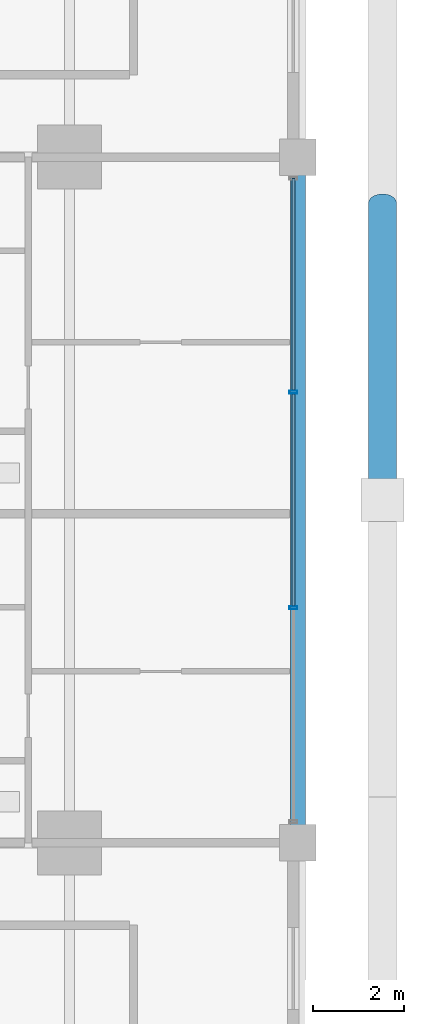
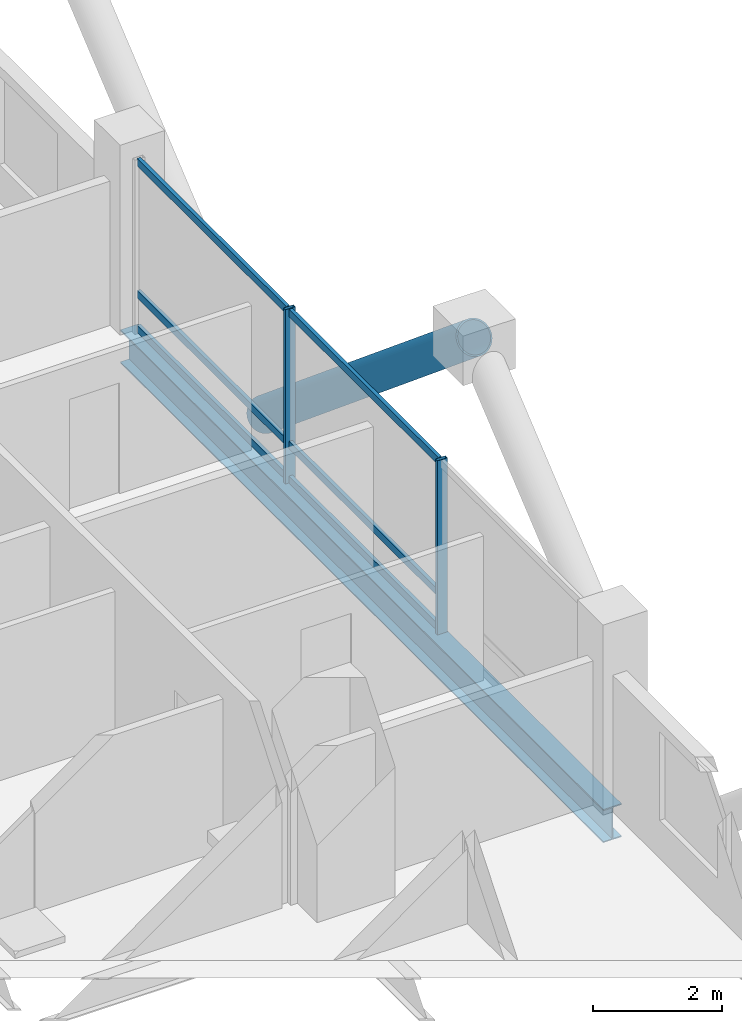
# One storey, part 10 of 24: 9 members, 1 beam, 1 element without a shape of its own.
"""IFC4 building model written with IfcOpenShell, lengths in metres."""

import ifcopenshell
import ifcopenshell.guid

model = None  # the IFC model being written
_history = None  # IfcOwnerHistory: only IFC2X3 demands one
_inside = {}  # id of a spatial element -> (the spatial element, [elements in it])
_under = {}  # id of a project, library or spatial element -> (it, [spatial elements below it])
_declared = {}  # id of a project -> (the project, [libraries it declares])
_typed = {}  # id of a type object -> (the type object, [elements of that type])
_made_of = {}  # id of a material, layer set ... -> (it, [elements and type objects made of it])


def new_model(schema):
    """Start an empty IFC model of exactly this schema.

    Asked for "IFC4X3", IfcOpenShell would pick the latest addendum, in which some entities
    have other attributes; the version numbers below select the first issue.
    IFC2X3 requires an IfcOwnerHistory on every rooted entity: one is made here for all.
    """
    global model, _history
    if schema == "IFC4X3":
        model = ifcopenshell.file(schema_version=(4, 3, 0, 0))
    else:
        model = ifcopenshell.file(schema=schema)
    _inside.clear()
    _under.clear()
    _declared.clear()
    _typed.clear()
    _made_of.clear()
    _history = None
    if model.schema == "IFC2X3":
        org = make("IfcOrganization", Name="unknown")
        user = make(
            "IfcPersonAndOrganization",
            ThePerson=make("IfcPerson", FamilyName="unknown"),
            TheOrganization=org,
        )
        app = make(
            "IfcApplication",
            ApplicationDeveloper=org,
            Version="unknown",
            ApplicationFullName="unknown",
            ApplicationIdentifier="unknown",
        )
        _history = make(
            "IfcOwnerHistory",
            OwningUser=user,
            OwningApplication=app,
            ChangeAction="ADDED",
            CreationDate=0,
        )
    return model


def make(cls, **values):
    """One entity of the class cls with the attributes given. An attribute that is None is left unset."""
    return model.create_entity(
        cls, **{name: value for name, value in values.items() if value is not None}
    )


def rooted(cls, **values):
    """An entity with a GlobalId (a new one), such as an element, a storey or a relation."""
    return make(cls, GlobalId=ifcopenshell.guid.new(), OwnerHistory=_history, **values)


def si_unit(unit_type, name, prefix=None):
    """IfcSIUnit, for example si_unit("LENGTHUNIT", "METRE", prefix="MILLI")."""
    return make("IfcSIUnit", UnitType=unit_type, Prefix=prefix, Name=name)


def assignment(units):
    """IfcUnitAssignment: the units of a project."""
    return None if units is None else make("IfcUnitAssignment", Units=units)


def point(xyz):
    """IfcCartesianPoint."""
    return None if xyz is None else make("IfcCartesianPoint", Coordinates=xyz)


def direction(xyz):
    """IfcDirection."""
    return None if xyz is None else make("IfcDirection", DirectionRatios=xyz)


def frame(location, z_axis=None, x_axis=None):
    """IfcAxis2Placement3D, a coordinate frame: its origin and axes. An axis left out is left unset."""
    return make(
        "IfcAxis2Placement3D",
        Location=point(location),
        Axis=direction(z_axis),
        RefDirection=direction(x_axis),
    )


def frame_2d(location, x_axis=None):
    """IfcAxis2Placement2D, a coordinate frame in the plane: its origin and x axis."""
    return make(
        "IfcAxis2Placement2D", Location=point(location), RefDirection=direction(x_axis)
    )


def origin():
    """The frame at (0, 0, 0) with its axes left unset."""
    return frame((0.0, 0.0, 0.0))


def origin_2d():
    """The frame at (0, 0) in the plane with its x axis left unset."""
    return frame_2d((0.0, 0.0))


def place(relative_to, where):
    """IfcLocalPlacement: puts the frame where relative to a parent placement (None: the world)."""
    return make(
        "IfcLocalPlacement", PlacementRelTo=relative_to, RelativePlacement=where
    )


def context(
    kind, dimensions, precision=None, world=None, true_north=None, identifier=None
):
    """IfcGeometricRepresentationContext, for example the 3D "Model" context."""
    return make(
        "IfcGeometricRepresentationContext",
        ContextIdentifier=identifier,
        ContextType=kind,
        CoordinateSpaceDimension=dimensions,
        Precision=precision,
        WorldCoordinateSystem=world,
        TrueNorth=true_north,
    )


def subcontext(parent, identifier, kind, view, scale=None):
    """IfcGeometricRepresentationSubContext, for example "Body" below "Model"."""
    return make(
        "IfcGeometricRepresentationSubContext",
        ContextIdentifier=identifier,
        ContextType=kind,
        ParentContext=parent,
        TargetScale=scale,
        TargetView=view,
    )


def project(units=None, contexts=None):
    """IfcProject with its units and contexts."""
    return rooted(
        "IfcProject",
        Name="project",
        RepresentationContexts=contexts,
        UnitsInContext=assignment(units),
    )


def spatial(cls, under=None, at=None, **own):
    """A site, building, storey or space (cls), placed at a placement, below another one or the project."""
    s = rooted(cls, ObjectPlacement=at, **own)
    if under is not None:
        _under.setdefault(under.id(), (under, []))[1].append(s)
    return s


def profile(cls, at=None, kind="AREA", **sizes):
    """A parametric profile (cls). Its sizes go by their IFC names, for example OverallWidth=200.0."""
    return make(cls, ProfileType=kind, Position=at, **sizes)


def hollow_rectangle(**sizes):
    """IfcRectangleHollowProfileDef."""
    return profile("IfcRectangleHollowProfileDef", **sizes)


def hollow_circle(**sizes):
    """IfcCircleHollowProfileDef."""
    return profile("IfcCircleHollowProfileDef", **sizes)


def i_section(**sizes):
    """IfcIShapeProfileDef."""
    return profile("IfcIShapeProfileDef", **sizes)


def extrude(swept, where, along, depth):
    """IfcExtrudedAreaSolid: the profile swept, set in the frame where, extruded along a direction by depth."""
    return make(
        "IfcExtrudedAreaSolid",
        SweptArea=swept,
        Position=where,
        ExtrudedDirection=direction(along),
        Depth=depth,
    )


def shape(context_of_items, identifier, shape_type, items):
    """IfcShapeRepresentation: the items that make up one representation, for example the "Body"."""
    return make(
        "IfcShapeRepresentation",
        ContextOfItems=context_of_items,
        RepresentationIdentifier=identifier,
        RepresentationType=shape_type,
        Items=items,
    )


def material(Name=None, Category=None):
    """IfcMaterial."""
    return make("IfcMaterial", Name=Name, Category=Category)


def layer(
    of_material, thickness, ventilated=None, Name=None, Category=None, Priority=None
):
    """IfcMaterialLayer: one layer of a wall or slab, of a material (None: an air gap)."""
    return make(
        "IfcMaterialLayer",
        Material=of_material,
        LayerThickness=thickness,
        IsVentilated=ventilated,
        Name=Name,
        Category=Category,
        Priority=Priority,
    )


def layer_set(layers, Name=None):
    """IfcMaterialLayerSet."""
    return make("IfcMaterialLayerSet", MaterialLayers=layers, LayerSetName=Name)


def material_profile(
    of_material, cross_section, Name=None, Category=None, Priority=None
):
    """IfcMaterialProfile: a cross section and its material."""
    return make(
        "IfcMaterialProfile",
        Name=Name,
        Material=of_material,
        Profile=cross_section,
        Priority=Priority,
        Category=Category,
    )


def profile_set(profiles, Name=None, composite=None):
    """IfcMaterialProfileSet."""
    return make(
        "IfcMaterialProfileSet",
        Name=Name,
        MaterialProfiles=profiles,
        CompositeProfile=composite,
    )


def made_of(thing, what):
    """Note that an element or type object is made of a material, layer set ...; save() writes the relation."""
    if what is not None:
        _made_of.setdefault(what.id(), (what, []))[1].append(thing)
    return thing


def type_object(cls, material=None, **own):
    """A type object (cls), such as IfcWallType, which elements share."""
    return made_of(rooted(cls, **own), material)


def element(
    cls,
    number,
    at=None,
    inside=None,
    cuts=None,
    type_object=None,
    material=None,
    context=None,
    identifier="Body",
    shape_type=None,
    held_by="IfcProductDefinitionShape",
    body=None,
    shapes=None,
    **own,
):
    """One element of the class cls, such as IfcWall. Its Tag is "e" and its number.

    at: its placement. inside: the storey or other place that contains it. cuts: it is an
    opening in that element (IfcRelVoidsElement). A single representation is given by context,
    identifier, shape_type and body (its items); several are given by shapes. held_by: the class
    of the entity that holds the representations. save() writes the other relations.
    """
    e = rooted(cls, Tag="e%d" % number, ObjectPlacement=at, **own)
    if body is not None:
        shapes = [shape(context, identifier, shape_type, body)]
    if shapes is not None:
        e.Representation = make(held_by, Representations=shapes)
    if inside is not None:
        _inside.setdefault(inside.id(), (inside, []))[1].append(e)
    if cuts is not None:
        rooted(
            "IfcRelVoidsElement", RelatingBuildingElement=cuts, RelatedOpeningElement=e
        )
    if type_object is not None:
        _typed.setdefault(type_object.id(), (type_object, []))[1].append(e)
    return made_of(e, material)


def aggregate(whole, parts):
    """IfcRelAggregates: a whole, such as a stair, and the parts it consists of."""
    return rooted("IfcRelAggregates", RelatingObject=whole, RelatedObjects=parts)


def save(model, path):
    """Write the relations noted so far, then the file.

    IfcRelAggregates (storeys below a building ...), IfcRelContainedInSpatialStructure (elements
    in a storey), IfcRelDefinesByType, IfcRelAssociatesMaterial and IfcRelDeclares: one each for
    every whole, place, type object, material and project.
    """
    for whole, parts in _under.values():
        aggregate(whole, parts)
    for where, things in _inside.values():
        rooted(
            "IfcRelContainedInSpatialStructure",
            RelatedElements=things,
            RelatingStructure=where,
        )
    for kind, things in _typed.values():
        rooted("IfcRelDefinesByType", RelatedObjects=things, RelatingType=kind)
    for what, things in _made_of.values():
        rooted("IfcRelAssociatesMaterial", RelatedObjects=things, RelatingMaterial=what)
    for by, libraries in _declared.values():
        rooted("IfcRelDeclares", RelatingContext=by, RelatedDefinitions=libraries)
    model.write(path)


model = new_model("IFC4")

# Units and contexts
model_context = context("Model", 3, precision=1e-05, world=origin(), true_north=direction((0.0, 1.0)))
body_context = subcontext(model_context, "Body", "Model", "MODEL_VIEW")
ifc_project = project(units=[si_unit("LENGTHUNIT", "METRE"), si_unit("AREAUNIT", "SQUARE_METRE"), si_unit("VOLUMEUNIT", "CUBIC_METRE"), si_unit("PLANEANGLEUNIT", "RADIAN"), si_unit("MASSUNIT", "GRAM", prefix="KILO")], contexts=[model_context])

# Site, building, storey
site_placement = place(None, origin())
site = spatial("IfcSite", under=ifc_project, at=site_placement, CompositionType="ELEMENT")
building_placement = place(site_placement, origin())
building = spatial("IfcBuilding", under=site, at=building_placement, Name="Barlavira Tower and Art Museum", CompositionType="ELEMENT")
storey_placement = place(building_placement, frame((0.0, 0.0, 90.0)))
storey = spatial("IfcBuildingStorey", under=building, at=storey_placement, Name="L22", CompositionType="ELEMENT", Elevation=90.0)

# Curtain wall, members
ifc_material_1 = material(Name="Low-iron coastal laminated glass", Category="glass")
ifc_layer = layer(ifc_material_1, 0.179931640625, Name="Low-iron coastal laminated glass")
ifc_layer_set = layer_set([ifc_layer], Name="Low-iron coastal laminated glass")
curtain_wall_type = type_object("IfcCurtainWallType", Name="Pale-Metal Unitised Curtain Wall Zone 1", PredefinedType="NOTDEFINED", material=ifc_layer_set)
curtain_wall_placement = place(storey_placement, origin())
curtain_wall = element("IfcCurtainWall", 1, at=curtain_wall_placement, inside=storey, type_object=curtain_wall_type, Name="L22 Curtain Wall CW1-L22-E-B3", PredefinedType="NOTDEFINED")
ifc_material_2 = material(Name="Pale anodised aluminium", Category="aluminium")
ifc_material_profile_1 = material_profile(ifc_material_2, hollow_rectangle(XDim=0.06494140625, YDim=0.179931640625, WallThickness=0.00390625, at=origin_2d()), Name="ALU-MULL 65x180x4")
ifc_profile_set_1 = profile_set([ifc_material_profile_1], Name="Pale anodised aluminium")
member_type_1 = type_object("IfcMemberType", Name="Curtain Wall Pale-Metal Mullion 65x180", PredefinedType="MULLION", material=ifc_profile_set_1)
member_1_placement = place(storey_placement, frame((21.89990234375, -2.360107421875, 0.0), z_axis=(0.0, 0.0, 1.0), x_axis=(0.0, 1.0, 0.0)))
member_1 = element("IfcMember", 2, at=member_1_placement, type_object=member_type_1, Name="CW1-L22-E-B3 Mullion 1", PredefinedType="MULLION", context=body_context, shape_type="SweptSolid", body=[
    extrude(hollow_rectangle(XDim=0.06494140625, YDim=0.179931640625, WallThickness=0.00390625, at=origin_2d()), origin(), (0.0, 0.0, 1.0), 3.300048828125),
])
member_2_placement = place(storey_placement, frame((21.89990234375, 2.360107421875, 0.0), z_axis=(0.0, 0.0, 1.0), x_axis=(0.0, 1.0, 0.0)))
member_2 = element("IfcMember", 3, at=member_2_placement, type_object=member_type_1, Name="CW1-L22-E-B3 Mullion 2", PredefinedType="MULLION", context=body_context, shape_type="SweptSolid", body=[
    extrude(hollow_rectangle(XDim=0.06494140625, YDim=0.179931640625, WallThickness=0.00390625, at=origin_2d()), origin(), (0.0, 0.0, 1.0), 3.300048828125),
])
ifc_material_profile_2 = material_profile(ifc_material_2, hollow_rectangle(XDim=0.06494140625, YDim=0.139892578125, WallThickness=0.00390625, at=origin_2d()), Name="ALU-TRAN 65x140x4")
ifc_profile_set_2 = profile_set([ifc_material_profile_2], Name="Pale anodised aluminium")
member_type_2 = type_object("IfcMemberType", Name="Curtain Wall Pale-Metal Transom 65x140", PredefinedType="USERDEFINED", material=ifc_profile_set_2)
member_3_placement = place(storey_placement, frame((21.89990234375, -2.31494140625, 0.070068359375), z_axis=(0.0, 1.0, 0.0), x_axis=(-1.0, 0.0, 0.0)))
member_3 = element("IfcMember", 4, at=member_3_placement, type_object=member_type_2, Name="CW1-L22-E-B3 Transom 1.1", ObjectType="TRANSOM", PredefinedType="USERDEFINED", context=body_context, shape_type="SweptSolid", body=[
    extrude(hollow_rectangle(XDim=0.06494140625, YDim=0.139892578125, WallThickness=0.00390625, at=origin_2d()), origin(), (0.0, 0.0, 1.0), 4.6298828125),
])
member_4_placement = place(storey_placement, frame((21.89990234375, -2.31494140625, 0.72607421875), z_axis=(0.0, 1.0, 0.0), x_axis=(-1.0, 0.0, 0.0)))
member_4 = element("IfcMember", 5, at=member_4_placement, type_object=member_type_2, Name="CW1-L22-E-B3 Transom 1.2", ObjectType="TRANSOM", PredefinedType="USERDEFINED", context=body_context, shape_type="SweptSolid", body=[
    extrude(hollow_rectangle(XDim=0.06494140625, YDim=0.139892578125, WallThickness=0.00390625, at=origin_2d()), origin(), (0.0, 0.0, 1.0), 4.6298828125),
])
member_5_placement = place(storey_placement, frame((21.89990234375, -2.31494140625, 3.22998046875), z_axis=(0.0, 1.0, 0.0), x_axis=(-1.0, 0.0, 0.0)))
member_5 = element("IfcMember", 6, at=member_5_placement, type_object=member_type_2, Name="CW1-L22-E-B3 Transom 1.3", ObjectType="TRANSOM", PredefinedType="USERDEFINED", context=body_context, shape_type="SweptSolid", body=[
    extrude(hollow_rectangle(XDim=0.06494140625, YDim=0.139892578125, WallThickness=0.00390625, at=origin_2d()), origin(), (0.0, 0.0, 1.0), 4.6298828125),
])
member_6_placement = place(storey_placement, frame((21.89990234375, 2.405029296875, 0.070068359375), z_axis=(0.0, 1.0, 0.0), x_axis=(-1.0, 0.0, 0.0)))
member_6 = element("IfcMember", 7, at=member_6_placement, type_object=member_type_2, Name="CW1-L22-E-B3 Transom 2.1", ObjectType="TRANSOM", PredefinedType="USERDEFINED", context=body_context, shape_type="SweptSolid", body=[
    extrude(hollow_rectangle(XDim=0.06494140625, YDim=0.139892578125, WallThickness=0.00390625, at=origin_2d()), origin(), (0.0, 0.0, 1.0), 4.6298828125),
])
member_7_placement = place(storey_placement, frame((21.89990234375, 2.405029296875, 0.72607421875), z_axis=(0.0, 1.0, 0.0), x_axis=(-1.0, 0.0, 0.0)))
member_7 = element("IfcMember", 8, at=member_7_placement, type_object=member_type_2, Name="CW1-L22-E-B3 Transom 2.2", ObjectType="TRANSOM", PredefinedType="USERDEFINED", context=body_context, shape_type="SweptSolid", body=[
    extrude(hollow_rectangle(XDim=0.06494140625, YDim=0.139892578125, WallThickness=0.00390625, at=origin_2d()), origin(), (0.0, 0.0, 1.0), 4.6298828125),
])
member_8_placement = place(storey_placement, frame((21.89990234375, 2.405029296875, 3.22998046875), z_axis=(0.0, 1.0, 0.0), x_axis=(-1.0, 0.0, 0.0)))
member_8 = element("IfcMember", 9, at=member_8_placement, type_object=member_type_2, Name="CW1-L22-E-B3 Transom 2.3", ObjectType="TRANSOM", PredefinedType="USERDEFINED", context=body_context, shape_type="SweptSolid", body=[
    extrude(hollow_rectangle(XDim=0.06494140625, YDim=0.139892578125, WallThickness=0.00390625, at=origin_2d()), origin(), (0.0, 0.0, 1.0), 4.6298828125),
])
aggregate(curtain_wall, [member_1, member_2, member_3, member_4, member_5, member_6, member_7, member_8])

# Member
ifc_material_3 = material(Name="Steel S355", Category="steel")
ifc_material_profile_3 = material_profile(ifc_material_3, hollow_circle(Radius=0.304931640625, WallThickness=0.028076171875, at=origin_2d()), Name="CHS 610.0x28.0")
ifc_profile_set_3 = profile_set([ifc_material_profile_3], Name="Steel S355")
member_type_3 = type_object("IfcMemberType", Name="Pale-Metal Exoskeleton Diagrid Tube CHS 610x28 Steel S355", PredefinedType="BRACE", material=ifc_profile_set_3)
member_9_placement = place(storey_placement, frame((23.85009765625, 6.5, -1.919921875), z_axis=(0.0, -0.769196053329, 0.639012857104), x_axis=(1.0, 0.0, 0.0)))
element("IfcMember", 10, at=member_9_placement, inside=storey, type_object=member_type_3, Name="L22 Exoskeleton Diagrid Tube E", PredefinedType="BRACE", context=body_context, shape_type="SweptSolid", body=[
    extrude(hollow_circle(Radius=0.304931640625, WallThickness=0.028076171875, at=origin_2d()), origin(), (0.0, 0.0, 1.0), 8.450439453125),
])

# Beam
ifc_material_profile_4 = material_profile(ifc_material_3, i_section(OverallWidth=0.327880859375, OverallDepth=0.62890625, WebThickness=0.013916015625, FlangeThickness=0.021484375, at=origin_2d()), Name="W610x174.0")
ifc_profile_set_4 = profile_set([ifc_material_profile_4], Name="Steel S355")
beam_type = type_object("IfcBeamType", Name="Perimeter Spandrel Edge Beam W610x174 Steel S355", PredefinedType="SPANDREL", material=ifc_profile_set_4)
beam_placement = place(storey_placement, frame((22.0, -7.5, -0.534423828125), z_axis=(0.0, 1.0, 0.0), x_axis=(-1.0, 0.0, 0.0)))
element("IfcBeam", 11, at=beam_placement, inside=storey, type_object=beam_type, Name="L22 Spandrel 6", PredefinedType="SPANDREL", context=body_context, shape_type="SweptSolid", body=[
    extrude(i_section(OverallWidth=0.327880859375, OverallDepth=0.62890625, WebThickness=0.013916015625, FlangeThickness=0.021484375, at=origin_2d()), origin(), (0.0, 0.0, 1.0), 15.0),
])

save(model, "model.ifc")
